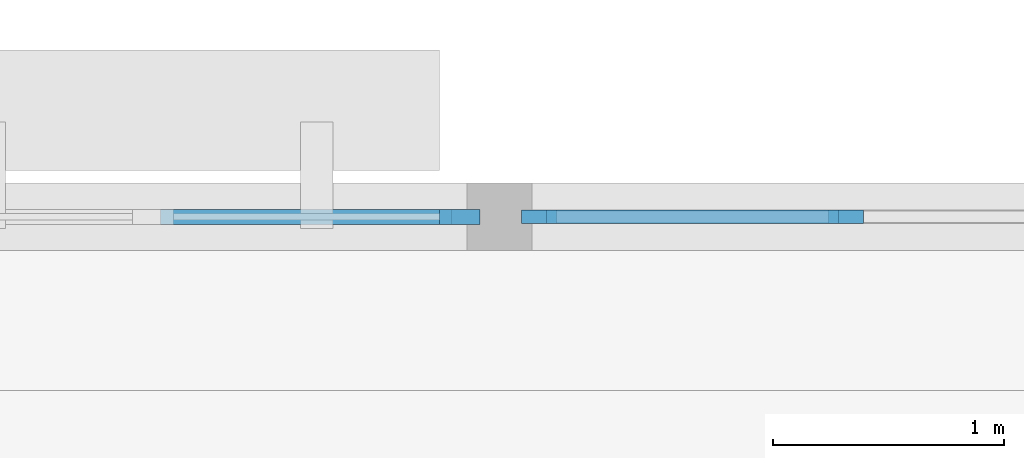
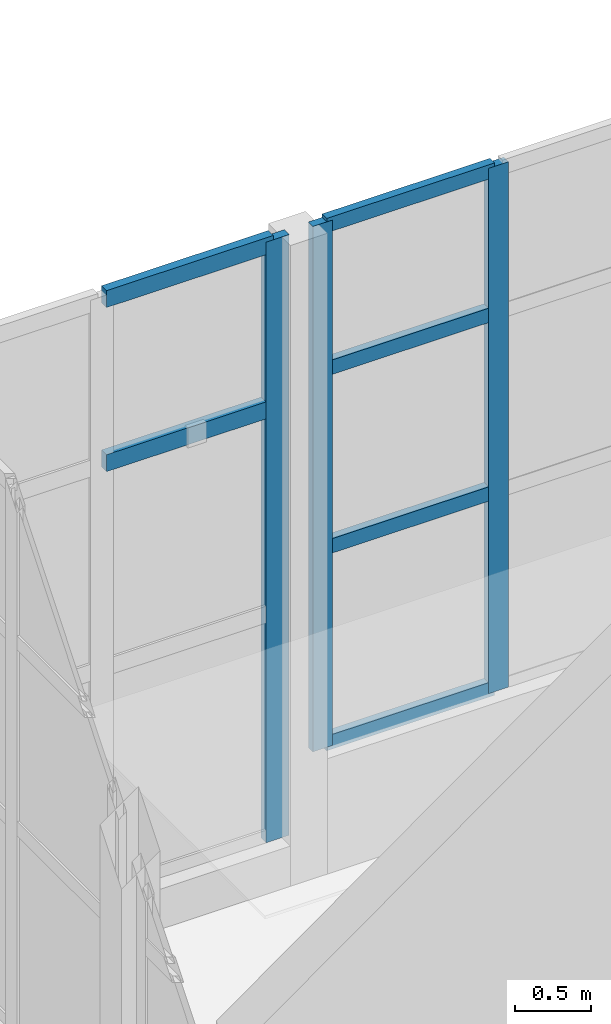
# One storey, part 54 of 120: 9 members, 2 elements without a shape of their own.
"""IFC4 building model written with IfcOpenShell, lengths in metres."""

import ifcopenshell
import ifcopenshell.guid

model = None  # the IFC model being written
_history = None  # IfcOwnerHistory: only IFC2X3 demands one
_inside = {}  # id of a spatial element -> (the spatial element, [elements in it])
_under = {}  # id of a project, library or spatial element -> (it, [spatial elements below it])
_declared = {}  # id of a project -> (the project, [libraries it declares])
_typed = {}  # id of a type object -> (the type object, [elements of that type])
_made_of = {}  # id of a material, layer set ... -> (it, [elements and type objects made of it])


def new_model(schema):
    """Start an empty IFC model of exactly this schema.

    Asked for "IFC4X3", IfcOpenShell would pick the latest addendum, in which some entities
    have other attributes; the version numbers below select the first issue.
    IFC2X3 requires an IfcOwnerHistory on every rooted entity: one is made here for all.
    """
    global model, _history
    if schema == "IFC4X3":
        model = ifcopenshell.file(schema_version=(4, 3, 0, 0))
    else:
        model = ifcopenshell.file(schema=schema)
    _inside.clear()
    _under.clear()
    _declared.clear()
    _typed.clear()
    _made_of.clear()
    _history = None
    if model.schema == "IFC2X3":
        org = make("IfcOrganization", Name="unknown")
        user = make(
            "IfcPersonAndOrganization",
            ThePerson=make("IfcPerson", FamilyName="unknown"),
            TheOrganization=org,
        )
        app = make(
            "IfcApplication",
            ApplicationDeveloper=org,
            Version="unknown",
            ApplicationFullName="unknown",
            ApplicationIdentifier="unknown",
        )
        _history = make(
            "IfcOwnerHistory",
            OwningUser=user,
            OwningApplication=app,
            ChangeAction="ADDED",
            CreationDate=0,
        )
    return model


def make(cls, **values):
    """One entity of the class cls with the attributes given. An attribute that is None is left unset."""
    return model.create_entity(
        cls, **{name: value for name, value in values.items() if value is not None}
    )


def rooted(cls, **values):
    """An entity with a GlobalId (a new one), such as an element, a storey or a relation."""
    return make(cls, GlobalId=ifcopenshell.guid.new(), OwnerHistory=_history, **values)


def si_unit(unit_type, name, prefix=None):
    """IfcSIUnit, for example si_unit("LENGTHUNIT", "METRE", prefix="MILLI")."""
    return make("IfcSIUnit", UnitType=unit_type, Prefix=prefix, Name=name)


def assignment(units):
    """IfcUnitAssignment: the units of a project."""
    return None if units is None else make("IfcUnitAssignment", Units=units)


def point(xyz):
    """IfcCartesianPoint."""
    return None if xyz is None else make("IfcCartesianPoint", Coordinates=xyz)


def direction(xyz):
    """IfcDirection."""
    return None if xyz is None else make("IfcDirection", DirectionRatios=xyz)


def frame(location, z_axis=None, x_axis=None):
    """IfcAxis2Placement3D, a coordinate frame: its origin and axes. An axis left out is left unset."""
    return make(
        "IfcAxis2Placement3D",
        Location=point(location),
        Axis=direction(z_axis),
        RefDirection=direction(x_axis),
    )


def frame_2d(location, x_axis=None):
    """IfcAxis2Placement2D, a coordinate frame in the plane: its origin and x axis."""
    return make(
        "IfcAxis2Placement2D", Location=point(location), RefDirection=direction(x_axis)
    )


def origin():
    """The frame at (0, 0, 0) with its axes left unset."""
    return frame((0.0, 0.0, 0.0))


def origin_2d():
    """The frame at (0, 0) in the plane with its x axis left unset."""
    return frame_2d((0.0, 0.0))


def place(relative_to, where):
    """IfcLocalPlacement: puts the frame where relative to a parent placement (None: the world)."""
    return make(
        "IfcLocalPlacement", PlacementRelTo=relative_to, RelativePlacement=where
    )


def context(
    kind, dimensions, precision=None, world=None, true_north=None, identifier=None
):
    """IfcGeometricRepresentationContext, for example the 3D "Model" context."""
    return make(
        "IfcGeometricRepresentationContext",
        ContextIdentifier=identifier,
        ContextType=kind,
        CoordinateSpaceDimension=dimensions,
        Precision=precision,
        WorldCoordinateSystem=world,
        TrueNorth=true_north,
    )


def subcontext(parent, identifier, kind, view, scale=None):
    """IfcGeometricRepresentationSubContext, for example "Body" below "Model"."""
    return make(
        "IfcGeometricRepresentationSubContext",
        ContextIdentifier=identifier,
        ContextType=kind,
        ParentContext=parent,
        TargetScale=scale,
        TargetView=view,
    )


def project(units=None, contexts=None):
    """IfcProject with its units and contexts."""
    return rooted(
        "IfcProject",
        Name="project",
        RepresentationContexts=contexts,
        UnitsInContext=assignment(units),
    )


def spatial(cls, under=None, at=None, **own):
    """A site, building, storey or space (cls), placed at a placement, below another one or the project."""
    s = rooted(cls, ObjectPlacement=at, **own)
    if under is not None:
        _under.setdefault(under.id(), (under, []))[1].append(s)
    return s


def profile(cls, at=None, kind="AREA", **sizes):
    """A parametric profile (cls). Its sizes go by their IFC names, for example OverallWidth=200.0."""
    return make(cls, ProfileType=kind, Position=at, **sizes)


def rectangle(**sizes):
    """IfcRectangleProfileDef."""
    return profile("IfcRectangleProfileDef", **sizes)


def extrude(swept, where, along, depth):
    """IfcExtrudedAreaSolid: the profile swept, set in the frame where, extruded along a direction by depth."""
    return make(
        "IfcExtrudedAreaSolid",
        SweptArea=swept,
        Position=where,
        ExtrudedDirection=direction(along),
        Depth=depth,
    )


def shape(context_of_items, identifier, shape_type, items):
    """IfcShapeRepresentation: the items that make up one representation, for example the "Body"."""
    return make(
        "IfcShapeRepresentation",
        ContextOfItems=context_of_items,
        RepresentationIdentifier=identifier,
        RepresentationType=shape_type,
        Items=items,
    )


def material(Name=None, Category=None):
    """IfcMaterial."""
    return make("IfcMaterial", Name=Name, Category=Category)


def material_profile(
    of_material, cross_section, Name=None, Category=None, Priority=None
):
    """IfcMaterialProfile: a cross section and its material."""
    return make(
        "IfcMaterialProfile",
        Name=Name,
        Material=of_material,
        Profile=cross_section,
        Priority=Priority,
        Category=Category,
    )


def profile_set(profiles, Name=None, composite=None):
    """IfcMaterialProfileSet."""
    return make(
        "IfcMaterialProfileSet",
        Name=Name,
        MaterialProfiles=profiles,
        CompositeProfile=composite,
    )


def made_of(thing, what):
    """Note that an element or type object is made of a material, layer set ...; save() writes the relation."""
    if what is not None:
        _made_of.setdefault(what.id(), (what, []))[1].append(thing)
    return thing


def type_object(cls, material=None, **own):
    """A type object (cls), such as IfcWallType, which elements share."""
    return made_of(rooted(cls, **own), material)


def element(
    cls,
    number,
    at=None,
    inside=None,
    cuts=None,
    type_object=None,
    material=None,
    context=None,
    identifier="Body",
    shape_type=None,
    held_by="IfcProductDefinitionShape",
    body=None,
    shapes=None,
    **own,
):
    """One element of the class cls, such as IfcWall. Its Tag is "e" and its number.

    at: its placement. inside: the storey or other place that contains it. cuts: it is an
    opening in that element (IfcRelVoidsElement). A single representation is given by context,
    identifier, shape_type and body (its items); several are given by shapes. held_by: the class
    of the entity that holds the representations. save() writes the other relations.
    """
    e = rooted(cls, Tag="e%d" % number, ObjectPlacement=at, **own)
    if body is not None:
        shapes = [shape(context, identifier, shape_type, body)]
    if shapes is not None:
        e.Representation = make(held_by, Representations=shapes)
    if inside is not None:
        _inside.setdefault(inside.id(), (inside, []))[1].append(e)
    if cuts is not None:
        rooted(
            "IfcRelVoidsElement", RelatingBuildingElement=cuts, RelatedOpeningElement=e
        )
    if type_object is not None:
        _typed.setdefault(type_object.id(), (type_object, []))[1].append(e)
    return made_of(e, material)


def aggregate(whole, parts):
    """IfcRelAggregates: a whole, such as a stair, and the parts it consists of."""
    return rooted("IfcRelAggregates", RelatingObject=whole, RelatedObjects=parts)


def save(model, path):
    """Write the relations noted so far, then the file.

    IfcRelAggregates (storeys below a building ...), IfcRelContainedInSpatialStructure (elements
    in a storey), IfcRelDefinesByType, IfcRelAssociatesMaterial and IfcRelDeclares: one each for
    every whole, place, type object, material and project.
    """
    for whole, parts in _under.values():
        aggregate(whole, parts)
    for where, things in _inside.values():
        rooted(
            "IfcRelContainedInSpatialStructure",
            RelatedElements=things,
            RelatingStructure=where,
        )
    for kind, things in _typed.values():
        rooted("IfcRelDefinesByType", RelatedObjects=things, RelatingType=kind)
    for what, things in _made_of.values():
        rooted("IfcRelAssociatesMaterial", RelatedObjects=things, RelatingMaterial=what)
    for by, libraries in _declared.values():
        rooted("IfcRelDeclares", RelatingContext=by, RelatedDefinitions=libraries)
    model.write(path)


model = new_model("IFC4")

# Units and contexts
model_context = context("Model", 3, precision=1e-05, world=origin(), true_north=direction((0.0, 1.0)))
body_context = subcontext(model_context, "Body", "Model", "MODEL_VIEW")
ifc_project = project(units=[si_unit("LENGTHUNIT", "METRE"), si_unit("AREAUNIT", "SQUARE_METRE"), si_unit("VOLUMEUNIT", "CUBIC_METRE"), si_unit("PLANEANGLEUNIT", "RADIAN"), si_unit("MASSUNIT", "GRAM", prefix="KILO")], contexts=[model_context])

# Site, building, storey
site_placement = place(None, origin())
site = spatial("IfcSite", under=ifc_project, at=site_placement, CompositionType="ELEMENT")
building_placement = place(site_placement, origin())
building = spatial("IfcBuilding", under=site, at=building_placement, Name="Siltcreek Boulevard Central Fire Station", CompositionType="ELEMENT")
storey_placement = place(building_placement, origin())
storey = spatial("IfcBuildingStorey", under=building, at=storey_placement, Name="L01", CompositionType="ELEMENT", Elevation=0.0)

# Curtain wall, members
ifc_material_1 = material(Name="Anodized aluminum and low-E insulated glazing", Category="aluminium")
curtain_wall_type_1 = type_object("IfcCurtainWallType", Name="CW_SYS_18", PredefinedType="USERDEFINED", material=ifc_material_1)
curtain_wall_1_placement = place(storey_placement, origin())
curtain_wall_1 = element("IfcCurtainWall", 1, at=curtain_wall_1_placement, inside=storey, type_object=curtain_wall_type_1, Name="L01 V5 unitised curtain wall CW-107", ObjectType="CURTAIN WALL", PredefinedType="USERDEFINED")
ifc_material_2 = material(Name="Anodized 6063-T6 aluminum framing", Category="aluminium")
ifc_material_profile_1 = material_profile(ifc_material_2, rectangle(XDim=0.06005859375, YDim=0.14990234375, at=origin_2d()), Name="MULL60X150")
ifc_profile_set_1 = profile_set([ifc_material_profile_1], Name="Anodized 6063-T6 aluminum framing")
member_type_1 = type_object("IfcMemberType", Name="CWM_60X150", PredefinedType="MULLION", material=ifc_profile_set_1)
member_1_placement = place(storey_placement, frame((128.697509765625, 112.199951171875, 0.919921875), z_axis=(0.0, 0.0, 1.0), x_axis=(0.0, -1.0, 0.0)))
member_1 = element("IfcMember", 2, at=member_1_placement, type_object=member_type_1, Name="CW-107 mullion 2", PredefinedType="MULLION", context=body_context, shape_type="SweptSolid", body=[
    extrude(rectangle(XDim=0.06005859375, YDim=0.14990234375, at=origin_2d()), origin(), (0.0, 0.0, 1.0), 4.193115234375),
])
member_2_placement = place(storey_placement, frame((127.3701171875, 112.199951171875, 0.919921875), z_axis=(0.0, 0.0, 1.0), x_axis=(0.0, -1.0, 0.0)))
member_2 = element("IfcMember", 3, at=member_2_placement, type_object=member_type_1, Name="CW-107 mullion 3", PredefinedType="MULLION", context=body_context, shape_type="SweptSolid", body=[
    extrude(rectangle(XDim=0.06005859375, YDim=0.14990234375, at=origin_2d()), origin(), (0.0, 0.0, 1.0), 4.193115234375),
])

# Curtain wall, member
curtain_wall_type_2 = type_object("IfcCurtainWallType", Name="CW_SYS_19", PredefinedType="USERDEFINED", material=ifc_material_1)
curtain_wall_2_placement = place(storey_placement, origin())
curtain_wall_2 = element("IfcCurtainWall", 4, at=curtain_wall_2_placement, inside=storey, type_object=curtain_wall_type_2, Name="L01 V5 unitised curtain wall CW-108", ObjectType="CURTAIN WALL", PredefinedType="USERDEFINED")
ifc_material_profile_2 = material_profile(ifc_material_2, rectangle(XDim=0.06494140625, YDim=0.175048828125, at=origin_2d()), Name="MULL65X175")
ifc_profile_set_2 = profile_set([ifc_material_profile_2], Name="Anodized 6063-T6 aluminum framing")
member_type_2 = type_object("IfcMemberType", Name="CWM_65X175", PredefinedType="MULLION", material=ifc_profile_set_2)
member_3_placement = place(storey_placement, frame((127.027587890625, 112.199951171875, 0.320068359375), z_axis=(0.0, 0.0, 1.0), x_axis=(0.0, -1.0, 0.0)))
member_3 = element("IfcMember", 5, at=member_3_placement, type_object=member_type_2, Name="CW-108 mullion 1", PredefinedType="MULLION", context=body_context, shape_type="SweptSolid", body=[
    extrude(rectangle(XDim=0.06494140625, YDim=0.175048828125, at=origin_2d()), origin(), (0.0, 0.0, 1.0), 4.79296875),
])

# Member
ifc_material_profile_3 = material_profile(ifc_material_2, rectangle(XDim=0.06005859375, YDim=0.114990234375, at=origin_2d()), Name="TRAN60X115")
ifc_profile_set_3 = profile_set([ifc_material_profile_3], Name="Anodized 6063-T6 aluminum framing")
member_type_3 = type_object("IfcMemberType", Name="CWT_60X115", PredefinedType="USERDEFINED", material=ifc_profile_set_3)
member_4_placement = place(storey_placement, frame((128.66748046875, 112.199951171875, 0.949951171875), z_axis=(-1.0, 0.0, 0.0), x_axis=(0.0, -1.0, 0.0)))
member_4 = element("IfcMember", 6, at=member_4_placement, type_object=member_type_3, Name="CW-107 transom 2.1", ObjectType="TRANSOM", PredefinedType="USERDEFINED", context=body_context, shape_type="SweptSolid", body=[
    extrude(rectangle(XDim=0.06005859375, YDim=0.114990234375, at=origin_2d()), origin(), (0.0, 0.0, 1.0), 1.267578125),
])

member_5_placement = place(storey_placement, frame((128.66748046875, 112.199951171875, 2.51318359375), z_axis=(-1.0, 0.0, 0.0), x_axis=(0.0, -1.0, 0.0)))
member_5 = element("IfcMember", 7, at=member_5_placement, type_object=member_type_3, Name="CW-107 transom 2.2", ObjectType="TRANSOM", PredefinedType="USERDEFINED", context=body_context, shape_type="SweptSolid", body=[
    extrude(rectangle(XDim=0.06005859375, YDim=0.114990234375, at=origin_2d()), origin(), (0.0, 0.0, 1.0), 1.267578125),
])

member_6_placement = place(storey_placement, frame((128.66748046875, 112.199951171875, 3.93896484375), z_axis=(-1.0, 0.0, 0.0), x_axis=(0.0, -1.0, 0.0)))
member_6 = element("IfcMember", 8, at=member_6_placement, type_object=member_type_3, Name="CW-107 transom 2.3", ObjectType="TRANSOM", PredefinedType="USERDEFINED", context=body_context, shape_type="SweptSolid", body=[
    extrude(rectangle(XDim=0.06005859375, YDim=0.114990234375, at=origin_2d()), origin(), (0.0, 0.0, 1.0), 1.267578125),
])

member_7_placement = place(storey_placement, frame((128.66748046875, 112.199951171875, 5.0830078125), z_axis=(-1.0, 0.0, 0.0), x_axis=(0.0, -1.0, 0.0)))
member_7 = element("IfcMember", 9, at=member_7_placement, type_object=member_type_3, Name="CW-107 transom 2.4", ObjectType="TRANSOM", PredefinedType="USERDEFINED", context=body_context, shape_type="SweptSolid", body=[
    extrude(rectangle(XDim=0.06005859375, YDim=0.114990234375, at=origin_2d()), origin(), (0.0, 0.0, 1.0), 1.267578125),
])

aggregate(curtain_wall_1, [member_1, member_2, member_4, member_5, member_6, member_7])

ifc_material_profile_4 = material_profile(ifc_material_2, rectangle(XDim=0.06494140625, YDim=0.135009765625, at=origin_2d()), Name="TRAN65X135")
ifc_profile_set_4 = profile_set([ifc_material_profile_4], Name="Anodized 6063-T6 aluminum framing")
member_type_4 = type_object("IfcMemberType", Name="CWT_65X135", PredefinedType="USERDEFINED", material=ifc_profile_set_4)
member_8_placement = place(storey_placement, frame((126.9951171875, 112.199951171875, 3.77099609375), z_axis=(-1.0, 0.0, 0.0), x_axis=(0.0, -1.0, 0.0)))
member_8 = element("IfcMember", 10, at=member_8_placement, type_object=member_type_4, Name="CW-108 transom 1.3", ObjectType="TRANSOM", PredefinedType="USERDEFINED", context=body_context, shape_type="SweptSolid", body=[
    extrude(rectangle(XDim=0.06494140625, YDim=0.135009765625, at=origin_2d()), origin(), (0.0, 0.0, 1.0), 1.260009765625),
])

member_9_placement = place(storey_placement, frame((126.9951171875, 112.199951171875, 5.08056640625), z_axis=(-1.0, 0.0, 0.0), x_axis=(0.0, -1.0, 0.0)))
member_9 = element("IfcMember", 11, at=member_9_placement, type_object=member_type_4, Name="CW-108 transom 1.4", ObjectType="TRANSOM", PredefinedType="USERDEFINED", context=body_context, shape_type="SweptSolid", body=[
    extrude(rectangle(XDim=0.06494140625, YDim=0.135009765625, at=origin_2d()), origin(), (0.0, 0.0, 1.0), 1.260009765625),
])

aggregate(curtain_wall_2, [member_3, member_8, member_9])

save(model, "model.ifc")
